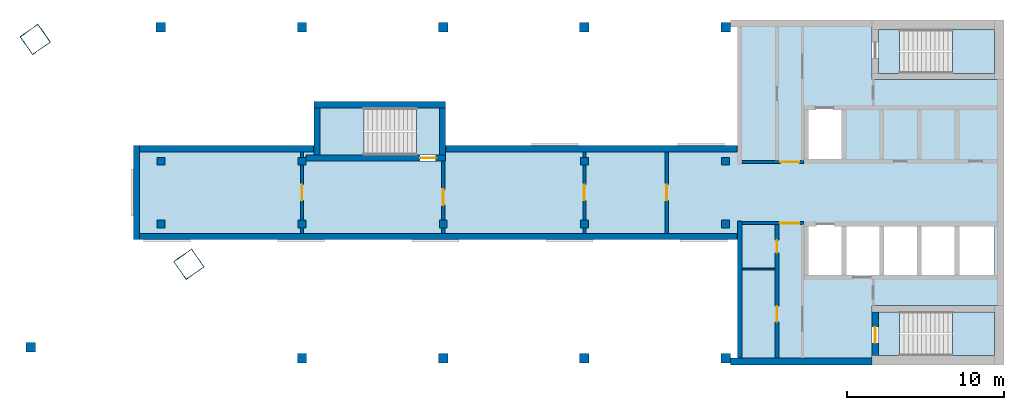
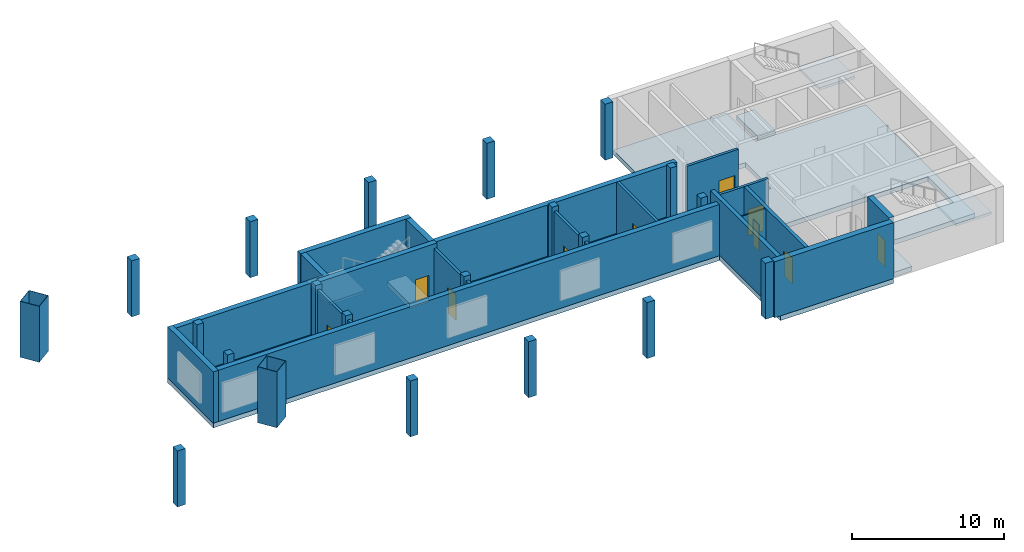
# One storey, part 1 of 4: 21 columns, 19 walls, 10 doors, 7 slabs, 10 openings, 3 elements without a shape of their own.
"""IFC4 building model written with IfcOpenShell, lengths in metres."""

from ifc_helpers import new_model, si_unit, direction, frame, frame_2d, origin, origin_2d, place, context, subcontext, project, spatial, polyline, rectangle, hollow_rectangle, outline, extrude, material, layer, layer_set, material_profile, profile_set, type_object, element, fill, aggregate, save


model = new_model("IFC4")

# Units and contexts
model_context = context("Model", 3, precision=1e-05, world=origin(), true_north=direction((0.0, 1.0)))
body_context = subcontext(model_context, "Body", "Model", "MODEL_VIEW")
ifc_project = project(units=[si_unit("LENGTHUNIT", "METRE"), si_unit("AREAUNIT", "SQUARE_METRE"), si_unit("VOLUMEUNIT", "CUBIC_METRE"), si_unit("PLANEANGLEUNIT", "RADIAN"), si_unit("MASSUNIT", "GRAM", prefix="KILO")], contexts=[model_context])

# Site, building, storey
site_placement = place(None, origin())
site = spatial("IfcSite", under=ifc_project, at=site_placement, CompositionType="ELEMENT")
building_placement = place(site_placement, origin())
building = spatial("IfcBuilding", under=site, at=building_placement, Name="Skarvind Civic Tower", CompositionType="ELEMENT")
storey_placement = place(building_placement, frame((0.0, 0.0, 282.0)))
storey = spatial("IfcBuildingStorey", under=building, at=storey_placement, Name="L67", CompositionType="ELEMENT", Elevation=282.0)

# Columns
ifc_material_1 = material(Name="Concrete C60", Category="concrete")
ifc_material_profile_1 = material_profile(ifc_material_1, rectangle(XDim=0.5, YDim=0.5, at=origin_2d()), Name="RC-500x500")
ifc_profile_set_1 = profile_set([ifc_material_profile_1], Name="Concrete C60")
column_type_1 = type_object("IfcColumnType", Name="Column RC-500x500 C60", PredefinedType="COLUMN", material=ifc_profile_set_1)
for number, where, z_axis, x_axis, name in (
    (1, (54.25, 130.0, 0.0), (0.0, 0.0, 1.0), (1.0, 0.0, 0.0), "Column wing 1 north inner 02 L67"),
    (2, (63.25, 130.0, 0.0), (0.0, 0.0, 1.0), (1.0, 0.0, 0.0), "Column wing 1 north inner 03 L67"),
    (3, (81.25, 130.0, 0.0), (0.0, 0.0, 1.0), (1.0, 0.0, 0.0), "Column wing 1 north inner 05 L67"),
    (4, (90.25, 130.0, 0.0), (0.0, 0.0, 1.0), (1.0, 0.0, 0.0), "Column wing 1 north inner 06 L67"),
    (5, (54.25, 126.0, 0.0), (0.0, 0.0, 1.0), (1.0, 0.0, 0.0), "Column wing 1 south inner 02 L67"),
    (6, (63.25, 126.0, 0.0), (0.0, 0.0, 1.0), (1.0, 0.0, 0.0), "Column wing 1 south inner 03 L67"),
    (7, (72.25, 126.0, 0.0), (0.0, 0.0, 1.0), (1.0, 0.0, 0.0), "Column wing 1 south inner 04 L67"),
    (8, (81.25, 126.0, 0.0), (0.0, 0.0, 1.0), (1.0, 0.0, 0.0), "Column wing 1 south inner 05 L67"),
    (9, (90.25, 126.0, 0.0), (0.0, 0.0, 1.0), (1.0, 0.0, 0.0), "Column wing 1 south inner 06 L67"),
):
    element("IfcColumn", number, at=place(storey_placement, frame(where, z_axis=z_axis, x_axis=x_axis)), inside=storey, type_object=column_type_1, Name=name, PredefinedType="COLUMN", context=body_context, shape_type="SweptSolid", body=[
        extrude(rectangle(XDim=0.5, YDim=0.5, at=origin_2d()), origin(), (0.0, 0.0, 1.0), 4.5),
    ])
ifc_material_profile_2 = material_profile(ifc_material_1, rectangle(XDim=0.60009765625, YDim=0.60009765625, at=origin_2d()), Name="RC-600x600")
ifc_profile_set_2 = profile_set([ifc_material_profile_2], Name="Concrete C60")
column_type_2 = type_object("IfcColumnType", Name="Column RC-600x600 C60", PredefinedType="COLUMN", material=ifc_profile_set_2)
for number, where, z_axis, x_axis, name in (
    (10, (54.25, 138.550048828125, 0.0), (0.0, 0.0, 1.0), (1.0, 0.0, 0.0), "Column wing 1 north perimeter 02 L67"),
    (11, (63.25, 138.550048828125, 0.0), (0.0, 0.0, 1.0), (1.0, 0.0, 0.0), "Column wing 1 north perimeter 03 L67"),
    (12, (72.25, 138.550048828125, 0.0), (0.0, 0.0, 1.0), (1.0, 0.0, 0.0), "Column wing 1 north perimeter 04 L67"),
    (13, (81.25, 138.550048828125, 0.0), (0.0, 0.0, 1.0), (1.0, 0.0, 0.0), "Column wing 1 north perimeter 05 L67"),
    (14, (90.25, 138.550048828125, 0.0), (0.0, 0.0, 1.0), (1.0, 0.0, 0.0), "Column wing 1 north perimeter 06 L67"),
    (15, (45.95166015625, 118.151611328125, 0.0), (0.0, 0.0, 1.0), (1.0, 0.0, 0.0), "Column wing 1 south perimeter 01 L67"),
    (16, (63.25, 117.449951171875, 0.0), (0.0, 0.0, 1.0), (1.0, 0.0, 0.0), "Column wing 1 south perimeter 03 L67"),
    (17, (72.25, 117.449951171875, 0.0), (0.0, 0.0, 1.0), (1.0, 0.0, 0.0), "Column wing 1 south perimeter 04 L67"),
    (18, (81.25, 117.449951171875, 0.0), (0.0, 0.0, 1.0), (1.0, 0.0, 0.0), "Column wing 1 south perimeter 05 L67"),
    (19, (90.25, 117.449951171875, 0.0), (0.0, 0.0, 1.0), (1.0, 0.0, 0.0), "Column wing 1 south perimeter 06 L67"),
):
    element("IfcColumn", number, at=place(storey_placement, frame(where, z_axis=z_axis, x_axis=x_axis)), inside=storey, type_object=column_type_2, Name=name, PredefinedType="COLUMN", context=body_context, shape_type="SweptSolid", body=[
        extrude(rectangle(XDim=0.60009765625, YDim=0.60009765625, at=origin_2d()), origin(), (0.0, 0.0, 1.0), 4.5),
    ])
ifc_material_2 = material(Name="Composite concrete-filled steel tube, Steel SM355 with Concrete C60", Category="concrete")
ifc_material_profile_3 = material_profile(ifc_material_2, hollow_rectangle(XDim=1.39990234375, YDim=1.39990234375, WallThickness=0.02490234375, at=origin_2d()), Name="BOX-1400x1400x25")
ifc_profile_set_3 = profile_set([ifc_material_profile_3], Name="Composite concrete-filled steel tube, Steel SM355 with Concrete C60")
column_type_3 = type_object("IfcColumnType", Name="Mega column BOX-1400x1400x25 filled C60", PredefinedType="COLUMN", material=ifc_profile_set_3)
for number, where, z_axis, x_axis, name in (
    (20, (46.2470703125, 137.762451171875, 0.0), (0.0, 0.0, 1.0), (0.573576436351, -0.819152044289, 0.0), "Mega column 2 L67"),
    (21, (56.0361328125, 123.43017578125, 0.0), (0.0, 0.0, 1.0), (0.573576436351, -0.819152044289, 0.0), "Mega column 4 L67"),
):
    element("IfcColumn", number, at=place(storey_placement, frame(where, z_axis=z_axis, x_axis=x_axis)), inside=storey, type_object=column_type_3, Name=name, PredefinedType="COLUMN", context=body_context, shape_type="SweptSolid", body=[
        extrude(hollow_rectangle(XDim=1.39990234375, YDim=1.39990234375, WallThickness=0.02490234375, at=origin_2d()), origin(), (0.0, 0.0, 1.0), 4.5),
    ])

# Slabs
ifc_material_3 = material(Name="Concrete C50", Category="concrete")
ifc_layer_1 = layer(ifc_material_3, 0.375)
ifc_layer_set_1 = layer_set([ifc_layer_1], Name="Floor slab 375 C50")
slab_type_1 = type_object("IfcSlabType", Name="Floor slab 375 C50", PredefinedType="FLOOR", material=ifc_layer_set_1)
slab_1_placement = place(storey_placement, frame((0.0, 0.0, -0.375)))
element("IfcSlab", 22, at=slab_1_placement, inside=storey, type_object=slab_type_1, Name="Floor slab L67 1", PredefinedType="FLOOR", context=body_context, shape_type="SweptSolid", body=[
    extrude(outline(polyline([(99.60009765625, 117.0), (99.60009765625, 120.800048828125), (108.0, 120.800048828125), (108.0, 135.199951171875), (99.60009765625, 135.199951171875), (99.60009765625, 139.0), (91.0, 139.0), (91.0, 131.0), (72.39990234375, 131.0), (72.39990234375, 130.0), (64.0, 130.0), (64.0, 131.0), (52.5, 131.0), (52.5, 125.0), (91.0, 125.0), (91.0, 117.0), (99.60009765625, 117.0)]), holes=[polyline([(95.39990234375, 126.0), (97.800048828125, 126.0), (100.199951171875, 126.0), (102.60009765625, 126.0), (105.0, 126.0), (107.39990234375, 126.0), (107.39990234375, 122.60009765625), (105.0, 122.60009765625), (102.60009765625, 122.60009765625), (100.199951171875, 122.60009765625), (97.800048828125, 122.60009765625), (95.39990234375, 122.60009765625), (95.39990234375, 126.0)]), polyline([(95.39990234375, 133.39990234375), (97.800048828125, 133.39990234375), (97.800048828125, 130.0), (95.39990234375, 130.0), (95.39990234375, 133.39990234375)])]), origin(), (0.0, 0.0, 1.0), 0.375),
])
ifc_material_4 = material(Name="Concrete C40/50", Category="concrete")
ifc_layer_2 = layer(ifc_material_4, 0.375)
ifc_layer_set_2 = layer_set([ifc_layer_2], Name="Stair floor landing slab 375")
slab_type_2 = type_object("IfcSlabType", Name="Stair floor landing slab 375", PredefinedType="LANDING", material=ifc_layer_set_2)
slab_2_placement = place(storey_placement, frame((0.0, 0.0, -0.375)))
element("IfcSlab", 23, at=slab_2_placement, inside=storey, type_object=slab_type_2, Name="Stair floor landing", PredefinedType="LANDING", context=body_context, shape_type="SweptSolid", body=[
    extrude(outline(polyline([(101.3505859375, 138.400634765625), (101.3505859375, 135.599365234375), (99.99951171875, 135.599365234375), (99.99951171875, 138.400634765625), (101.3505859375, 138.400634765625)])), origin(), (0.0, 0.0, 1.0), 0.375),
])
slab_3_placement = place(storey_placement, frame((0.0, 0.0, -0.375)))
element("IfcSlab", 24, at=slab_3_placement, inside=storey, type_object=slab_type_2, Name="Stair floor landing", PredefinedType="LANDING", context=body_context, shape_type="SweptSolid", body=[
    extrude(outline(polyline([(101.3505859375, 120.400634765625), (101.3505859375, 117.599365234375), (99.99951171875, 117.599365234375), (99.99951171875, 120.400634765625), (101.3505859375, 120.400634765625)])), origin(), (0.0, 0.0, 1.0), 0.375),
])
slab_4_placement = place(storey_placement, frame((0.0, 0.0, -0.375)))
element("IfcSlab", 25, at=slab_4_placement, inside=storey, type_object=slab_type_2, Name="Stair floor landing", PredefinedType="LANDING", context=body_context, shape_type="SweptSolid", body=[
    extrude(outline(polyline([(70.54931640625, 130.3994140625), (70.54931640625, 133.400634765625), (72.00048828125, 133.400634765625), (72.00048828125, 130.3994140625), (70.54931640625, 130.3994140625)])), origin(), (0.0, 0.0, 1.0), 0.375),
])

# Stair, slab
stair_type_1 = type_object("IfcStairType", Name="Exit stair, half-turn, concrete", PredefinedType="HALF_TURN_STAIR", material=ifc_material_4)
stair_1_placement = place(storey_placement, origin())
stair_1 = element("IfcStair", 26, at=stair_1_placement, inside=storey, type_object=stair_type_1, Name="Exit stair C1S", PredefinedType="HALF_TURN_STAIR")
ifc_layer_3 = layer(ifc_material_4, 0.199951171875)
ifc_layer_set_3 = layer_set([ifc_layer_3], Name="Stair half landing slab")
slab_type_3 = type_object("IfcSlabType", Name="Stair half landing slab", PredefinedType="LANDING", material=ifc_layer_set_3)
slab_5_placement = place(storey_placement, frame((0.0, 0.0, 2.050048828125)))
slab_5 = element("IfcSlab", 27, at=slab_5_placement, type_object=slab_type_3, Name="ST-C1S landing 1", PredefinedType="LANDING", context=body_context, shape_type="SweptSolid", body=[
    extrude(outline(polyline([(104.70947265625, 135.599365234375), (104.70947265625, 138.400634765625), (107.400634765625, 138.400634765625), (107.400634765625, 135.599365234375), (104.70947265625, 135.599365234375)])), origin(), (0.0, 0.0, 1.0), 0.199951171875),
])
aggregate(stair_1, [slab_5])

stair_2_placement = place(storey_placement, origin())
stair_2 = element("IfcStair", 28, at=stair_2_placement, inside=storey, type_object=stair_type_1, Name="Exit stair C1N", PredefinedType="HALF_TURN_STAIR")
slab_6_placement = place(storey_placement, frame((0.0, 0.0, 2.050048828125)))
slab_6 = element("IfcSlab", 29, at=slab_6_placement, type_object=slab_type_3, Name="ST-C1N landing 1", PredefinedType="LANDING", context=body_context, shape_type="SweptSolid", body=[
    extrude(outline(polyline([(104.70947265625, 117.599365234375), (104.70947265625, 120.400634765625), (107.400634765625, 120.400634765625), (107.400634765625, 117.599365234375), (104.70947265625, 117.599365234375)])), origin(), (0.0, 0.0, 1.0), 0.199951171875),
])
aggregate(stair_2, [slab_6])

stair_type_2 = type_object("IfcStairType", Name="Exit stair 1450, half-turn, concrete", PredefinedType="HALF_TURN_STAIR", material=ifc_material_4)
stair_3_placement = place(storey_placement, origin())
stair_3 = element("IfcStair", 30, at=stair_3_placement, inside=storey, type_object=stair_type_2, Name="Exit stair CM", PredefinedType="HALF_TURN_STAIR")
slab_7_placement = place(storey_placement, frame((0.0, 0.0, 2.050048828125)))
slab_7 = element("IfcSlab", 31, at=slab_7_placement, type_object=slab_type_3, Name="ST-CM landing 1", PredefinedType="LANDING", context=body_context, shape_type="SweptSolid", body=[
    extrude(outline(polyline([(67.190673828125, 133.400634765625), (67.190673828125, 130.3994140625), (64.3994140625, 130.3994140625), (64.3994140625, 133.400634765625), (67.190673828125, 133.400634765625)])), origin(), (0.0, 0.0, 1.0), 0.199951171875),
])
aggregate(stair_3, [slab_7])

# Wall, opening, door
ifc_material_5 = material(Name="Fire-rated masonry partition", Category="masonry")
ifc_layer_4 = layer(ifc_material_5, 0.199951171875)
ifc_layer_set_4 = layer_set([ifc_layer_4], Name="Core enclosure wall 200")
wall_type_1 = type_object("IfcWallType", Name="Core enclosure wall 200", PredefinedType="PARTITIONING", material=ifc_layer_set_4)
wall_1_placement = place(storey_placement, frame((95.25, 126.050048828125, 0.0), z_axis=(0.0, 0.0, 1.0), x_axis=(-1.0, 0.0, 0.0)))
wall_1 = element("IfcWall", 32, at=wall_1_placement, inside=storey, type_object=wall_type_1, Name="Core wall C1", PredefinedType="PARTITIONING", context=body_context, shape_type="SweptSolid", body=[
    extrude(rectangle(XDim=3.949951171875, YDim=0.199951171875, at=frame_2d((1.97509765625, 0.0))), origin(), (0.0, 0.0, 1.0), 4.125),
])
opening_1_placement = place(wall_1_placement, frame((0.300048828125, 0.0, 0.0)))
opening_1 = element("IfcOpeningElement", 33, at=opening_1_placement, cuts=wall_1, Name="Opening D-L67-C1-04", PredefinedType="OPENING", context=body_context, shape_type="SweptSolid", body=[
    extrude(rectangle(XDim=1.199951171875, YDim=2.10009765625, at=frame_2d((0.60009765625, 1.050048828125))), frame((0.0, 0.10986328125, 0.0), z_axis=(0.0, -1.0, 0.0), x_axis=(1.0, 0.0, 0.0)), (0.0, 0.0, 1.0), 0.219970703125),
])
ifc_material_6 = material(Name="Fire-rated steel door", Category="steel")
door_type_1 = type_object("IfcDoorType", Name="Core lobby door 1200", OperationType="NOTDEFINED", PredefinedType="DOOR", material=ifc_material_6)
door_1_placement = place(opening_1_placement, origin())
door_1 = element("IfcDoor", 34, at=door_1_placement, inside=storey, type_object=door_type_1, Name="Fire door", OperationType="DOUBLE_DOOR_SINGLE_SWING", OverallHeight=2.10009765625, OverallWidth=1.199951171875, PredefinedType="DOOR", context=body_context, shape_type="SweptSolid", body=[
    extrude(rectangle(XDim=1.199951171875, YDim=2.10009765625, at=frame_2d((0.60009765625, 1.050048828125))), frame((0.0, 0.02490234375, 0.0), z_axis=(0.0, -1.0, 0.0), x_axis=(1.0, 0.0, 0.0)), (0.0, 0.0, 1.0), 0.050048828125),
])
fill(opening_1, door_1)

wall_2_placement = place(storey_placement, frame((91.300048828125, 129.949951171875, 0.0), z_axis=(0.0, 0.0, 1.0), x_axis=(1.0, 0.0, 0.0)))
wall_2 = element("IfcWall", 35, at=wall_2_placement, inside=storey, type_object=wall_type_1, Name="Core wall C1", PredefinedType="PARTITIONING", context=body_context, shape_type="SweptSolid", body=[
    extrude(rectangle(XDim=3.949951171875, YDim=0.199951171875, at=frame_2d((1.97509765625, 0.0))), origin(), (0.0, 0.0, 1.0), 4.125),
])
opening_2_placement = place(wall_2_placement, frame((2.449951171875, 0.0, 0.0)))
opening_2 = element("IfcOpeningElement", 36, at=opening_2_placement, cuts=wall_2, Name="Opening D-L67-C1-10", PredefinedType="OPENING", context=body_context, shape_type="SweptSolid", body=[
    extrude(rectangle(XDim=1.199951171875, YDim=2.10009765625, at=frame_2d((0.60009765625, 1.050048828125))), frame((0.0, 0.10986328125, 0.0), z_axis=(0.0, -1.0, 0.0), x_axis=(1.0, 0.0, 0.0)), (0.0, 0.0, 1.0), 0.219970703125),
])
door_2_placement = place(opening_2_placement, origin())
door_2 = element("IfcDoor", 37, at=door_2_placement, inside=storey, type_object=door_type_1, Name="Fire door", OperationType="DOUBLE_DOOR_SINGLE_SWING", OverallHeight=2.10009765625, OverallWidth=1.199951171875, PredefinedType="DOOR", context=body_context, shape_type="SweptSolid", body=[
    extrude(rectangle(XDim=1.199951171875, YDim=2.10009765625, at=frame_2d((0.60009765625, 1.050048828125))), frame((0.0, 0.02490234375, 0.0), z_axis=(0.0, -1.0, 0.0), x_axis=(1.0, 0.0, 0.0)), (0.0, 0.0, 1.0), 0.050048828125),
])
fill(opening_2, door_2)

# Walls
ifc_material_7 = material(Name="Fire-rated plasterboard partition")
ifc_layer_5 = layer(ifc_material_7, 0.10009765625)
ifc_layer_set_5 = layer_set([ifc_layer_5], Name="Core partition wall 100")
wall_type_2 = type_object("IfcWallType", Name="Core partition wall 100", PredefinedType="PARTITIONING", material=ifc_layer_set_5)
wall_3_placement = place(storey_placement, frame((93.39990234375, 123.1201171875, 0.0), z_axis=(0.0, 0.0, 1.0), x_axis=(-1.0, 0.0, 0.0)))
element("IfcWall", 38, at=wall_3_placement, inside=storey, type_object=wall_type_2, Name="Core wall C1", PredefinedType="PARTITIONING", context=body_context, shape_type="SweptSolid", body=[
    extrude(rectangle(XDim=2.099853515625, YDim=0.10009765625, at=frame_2d((1.0498046875, 0.0))), origin(), (0.0, 0.0, 1.0), 4.125),
])
ifc_layer_6 = layer(ifc_material_1, 0.300048828125)
ifc_layer_set_6 = layer_set([ifc_layer_6], Name="Core wall 300 C60")
wall_type_3 = type_object("IfcWallType", Name="Core wall 300 C60", PredefinedType="SHEAR", material=ifc_layer_set_6)
wall_4_placement = place(storey_placement, frame((91.14990234375, 126.199951171875, 0.0), z_axis=(0.0, 0.0, 1.0), x_axis=(0.0, -1.0, 0.0)))
element("IfcWall", 39, at=wall_4_placement, inside=storey, type_object=wall_type_3, Name="Core wall C1 north inner face L67", PredefinedType="SHEAR", context=body_context, shape_type="SweptSolid", body=[
    extrude(rectangle(XDim=8.75, YDim=0.300048828125, at=frame_2d((4.375, 0.0))), origin(), (0.0, 0.0, 1.0), 4.5),
])

# Wall, opening, door
ifc_layer_7 = layer(ifc_material_1, 0.39990234375)
ifc_layer_set_7 = layer_set([ifc_layer_7], Name="Core wall 400 C60")
wall_type_4 = type_object("IfcWallType", Name="Core wall 400 C60", PredefinedType="SHEAR", material=ifc_layer_set_7)
wall_5_placement = place(storey_placement, frame((99.800048828125, 120.39990234375, 0.0), z_axis=(0.0, 0.0, 1.0), x_axis=(0.0, -1.0, 0.0)))
wall_5 = element("IfcWall", 40, at=wall_5_placement, inside=storey, type_object=wall_type_4, Name="Core wall C1 north stair end L67", PredefinedType="SHEAR", context=body_context, shape_type="SweptSolid", body=[
    extrude(rectangle(XDim=2.7998046875, YDim=0.39990234375, at=frame_2d((1.39990234375, 0.0))), origin(), (0.0, 0.0, 1.0), 4.5),
])
opening_3_placement = place(wall_5_placement, frame((0.97509765625, 0.0, 0.0)))
opening_3 = element("IfcOpeningElement", 41, at=opening_3_placement, cuts=wall_5, Name="Opening D-L67-C1-06", PredefinedType="OPENING", context=body_context, shape_type="SweptSolid", body=[
    extrude(rectangle(XDim=1.0, YDim=2.10009765625, at=frame_2d((0.5, 1.050048828125))), frame((0.0, 0.2099609375, 0.0), z_axis=(0.0, -1.0, 0.0), x_axis=(1.0, 0.0, 0.0)), (0.0, 0.0, 1.0), 0.419921875),
])
door_type_2 = type_object("IfcDoorType", Name="Fire door 1000", OperationType="NOTDEFINED", PredefinedType="DOOR", material=ifc_material_6)
door_3_placement = place(opening_3_placement, origin())
door_3 = element("IfcDoor", 42, at=door_3_placement, inside=storey, type_object=door_type_2, Name="Fire door", OperationType="SINGLE_SWING_LEFT", OverallHeight=2.10009765625, OverallWidth=1.0, PredefinedType="DOOR", context=body_context, shape_type="SweptSolid", body=[
    extrude(rectangle(XDim=1.0, YDim=2.10009765625, at=frame_2d((0.5, 1.050048828125))), frame((0.0, 0.02490234375, 0.0), z_axis=(0.0, -1.0, 0.0), x_axis=(1.0, 0.0, 0.0)), (0.0, 0.0, 1.0), 0.050048828125),
])
fill(opening_3, door_3)

wall_6_placement = place(storey_placement, frame((63.5, 130.199951171875, 0.0), z_axis=(0.0, 0.0, 1.0), x_axis=(1.0, 0.0, 0.0)))
wall_6 = element("IfcWall", 43, at=wall_6_placement, inside=storey, type_object=wall_type_4, Name="Core wall CM inner L67", PredefinedType="SHEAR", context=body_context, shape_type="SweptSolid", body=[
    extrude(rectangle(XDim=8.89990234375, YDim=0.39990234375, at=frame_2d((4.449951171875, 0.0))), origin(), (0.0, 0.0, 1.0), 4.5),
])
opening_4_placement = place(wall_6_placement, frame((7.27490234375, 0.0, 0.0)))
opening_4 = element("IfcOpeningElement", 44, at=opening_4_placement, cuts=wall_6, Name="Opening D-L67-CM-01", PredefinedType="OPENING", context=body_context, shape_type="SweptSolid", body=[
    extrude(rectangle(XDim=1.0, YDim=2.10009765625, at=frame_2d((0.5, 1.050048828125))), frame((0.0, 0.2099609375, 0.0), z_axis=(0.0, -1.0, 0.0), x_axis=(1.0, 0.0, 0.0)), (0.0, 0.0, 1.0), 0.419921875),
])
door_4_placement = place(opening_4_placement, origin())
door_4 = element("IfcDoor", 45, at=door_4_placement, inside=storey, type_object=door_type_2, Name="Fire door", OperationType="SINGLE_SWING_LEFT", OverallHeight=2.10009765625, OverallWidth=1.0, PredefinedType="DOOR", context=body_context, shape_type="SweptSolid", body=[
    extrude(rectangle(XDim=1.0, YDim=2.10009765625, at=frame_2d((0.5, 1.050048828125))), frame((0.0, 0.02490234375, 0.0), z_axis=(0.0, -1.0, 0.0), x_axis=(1.0, 0.0, 0.0)), (0.0, 0.0, 1.0), 0.050048828125),
])
fill(opening_4, door_4)

# Walls
wall_7_placement = place(storey_placement, frame((64.0, 133.60009765625, 0.0), z_axis=(0.0, 0.0, 1.0), x_axis=(1.0, 0.0, 0.0)))
element("IfcWall", 46, at=wall_7_placement, inside=storey, type_object=wall_type_4, Name="Core wall CM outer L67", PredefinedType="SHEAR", context=body_context, shape_type="SweptSolid", body=[
    extrude(rectangle(XDim=8.39990234375, YDim=0.39990234375, at=frame_2d((4.199951171875, 0.0))), origin(), (0.0, 0.0, 1.0), 4.5),
])
for number, where, z_axis, x_axis, name in (
    (47, (64.199951171875, 130.39990234375, 0.0), (0.0, 0.0, 1.0), (0.0, 1.0, 0.0), "Core wall CM west L67"),
    (48, (72.199951171875, 130.39990234375, 0.0), (0.0, 0.0, 1.0), (0.0, 1.0, 0.0), "Core wall CM end L67"),
):
    element("IfcWall", number, at=place(storey_placement, frame(where, z_axis=z_axis, x_axis=x_axis)), inside=storey, type_object=wall_type_4, Name=name, PredefinedType="SHEAR", context=body_context, shape_type="SweptSolid", body=[
        extrude(rectangle(XDim=3.0, YDim=0.39990234375, at=frame_2d((1.5, 0.0))), origin(), (0.0, 0.0, 1.0), 4.5),
    ])
ifc_layer_8 = layer(ifc_material_1, 0.449951171875)
ifc_layer_set_8 = layer_set([ifc_layer_8], Name="Core wall 450 C60")
wall_type_5 = type_object("IfcWallType", Name="Core wall 450 C60", PredefinedType="SHEAR", material=ifc_layer_set_8)
wall_8_placement = place(storey_placement, frame((99.60009765625, 117.22509765625, 0.0), z_axis=(0.0, 0.0, 1.0), x_axis=(-1.0, 0.0, 0.0)))
element("IfcWall", 49, at=wall_8_placement, inside=storey, type_object=wall_type_5, Name="Core wall C1 north side L67", PredefinedType="SHEAR", context=body_context, shape_type="SweptSolid", body=[
    extrude(rectangle(XDim=9.050048828125, YDim=0.449951171875, at=frame_2d((4.52490234375, 0.0))), origin(), (0.0, 0.0, 1.0), 4.5),
])

# Wall, opening, door
ifc_material_8 = material(Name="Fire-rated blockwork wall, plastered", Category="masonry")
ifc_layer_9 = layer(ifc_material_8, 0.199951171875)
ifc_layer_set_9 = layer_set([ifc_layer_9], Name="FIRE WALL 200 EI 120")
wall_type_6 = type_object("IfcWallType", Name="FIRE WALL 200 EI 120", PredefinedType="PARTITIONING", material=ifc_layer_set_9)
wall_9_placement = place(storey_placement, frame((63.25, 130.60009765625, 0.0), z_axis=(0.0, 0.0, 1.0), x_axis=(0.0, -1.0, 0.0)))
wall_9 = element("IfcWall", 50, at=wall_9_placement, inside=storey, type_object=wall_type_6, Name="Crown partition L67 001", PredefinedType="PARTITIONING", context=body_context, shape_type="SweptSolid", body=[
    extrude(rectangle(XDim=5.2001953125, YDim=0.199951171875, at=frame_2d((2.60009765625, 0.0))), origin(), (0.0, 0.0, 1.0), 4.125),
])
opening_5_placement = place(wall_9_placement, frame((2.10009765625, 0.0, 0.0)))
opening_5 = element("IfcOpeningElement", 51, at=opening_5_placement, cuts=wall_9, Name="Opening L67-D201", PredefinedType="OPENING", context=body_context, shape_type="SweptSolid", body=[
    extrude(rectangle(XDim=1.0, YDim=2.10009765625, at=frame_2d((0.5, 1.050048828125))), frame((0.0, 0.10986328125, 0.0), z_axis=(0.0, -1.0, 0.0), x_axis=(1.0, 0.0, 0.0)), (0.0, 0.0, 1.0), 0.219970703125),
])
ifc_material_9 = material(Name="Painted steel fire door leaf", Category="steel")
door_type_3 = type_object("IfcDoorType", Name="FIRE DOOR 1000X2100 STEEL", OperationType="NOTDEFINED", PredefinedType="DOOR", material=ifc_material_9)
door_5_placement = place(opening_5_placement, origin())
door_5 = element("IfcDoor", 52, at=door_5_placement, inside=storey, type_object=door_type_3, Name="FIRE DOOR", OperationType="SINGLE_SWING_RIGHT", OverallHeight=2.10009765625, OverallWidth=1.0, PredefinedType="DOOR", context=body_context, shape_type="SweptSolid", body=[
    extrude(rectangle(XDim=1.0, YDim=2.10009765625, at=frame_2d((0.5, 1.050048828125))), frame((0.0, 0.02490234375, 0.0), z_axis=(0.0, -1.0, 0.0), x_axis=(1.0, 0.0, 0.0)), (0.0, 0.0, 1.0), 0.050048828125),
])
fill(opening_5, door_5)

ifc_layer_10 = layer(ifc_material_8, 0.199951171875)
ifc_layer_set_10 = layer_set([ifc_layer_10], Name="FIRE WALL 200 EI 60")
wall_type_7 = type_object("IfcWallType", Name="FIRE WALL 200 EI 60", PredefinedType="PARTITIONING", material=ifc_layer_set_10)
wall_10_placement = place(storey_placement, frame((72.25, 130.0, 0.0), z_axis=(0.0, 0.0, 1.0), x_axis=(0.0, -1.0, 0.0)))
wall_10 = element("IfcWall", 53, at=wall_10_placement, inside=storey, type_object=wall_type_7, Name="Crown partition L67 002", PredefinedType="PARTITIONING", context=body_context, shape_type="SweptSolid", body=[
    extrude(rectangle(XDim=4.6201171875, YDim=0.199951171875, at=frame_2d((2.31005859375, 0.0))), origin(), (0.0, 0.0, 1.0), 4.125),
])
opening_6_placement = place(wall_10_placement, frame((1.800048828125, 0.0, 0.0)))
opening_6 = element("IfcOpeningElement", 54, at=opening_6_placement, cuts=wall_10, Name="Opening L67-D202", PredefinedType="OPENING", context=body_context, shape_type="SweptSolid", body=[
    extrude(rectangle(XDim=1.0, YDim=2.10009765625, at=frame_2d((0.5, 1.050048828125))), frame((0.0, 0.10986328125, 0.0), z_axis=(0.0, -1.0, 0.0), x_axis=(1.0, 0.0, 0.0)), (0.0, 0.0, 1.0), 0.219970703125),
])
door_6_placement = place(opening_6_placement, origin())
door_6 = element("IfcDoor", 55, at=door_6_placement, inside=storey, type_object=door_type_3, Name="FIRE DOOR", OperationType="SINGLE_SWING_LEFT", OverallHeight=2.10009765625, OverallWidth=1.0, PredefinedType="DOOR", context=body_context, shape_type="SweptSolid", body=[
    extrude(rectangle(XDim=1.0, YDim=2.10009765625, at=frame_2d((0.5, 1.050048828125))), frame((0.0, 0.02490234375, 0.0), z_axis=(0.0, -1.0, 0.0), x_axis=(1.0, 0.0, 0.0)), (0.0, 0.0, 1.0), 0.050048828125),
])
fill(opening_6, door_6)

wall_11_placement = place(storey_placement, frame((81.25, 130.60009765625, 0.0), z_axis=(0.0, 0.0, 1.0), x_axis=(0.0, -1.0, 0.0)))
wall_11 = element("IfcWall", 56, at=wall_11_placement, inside=storey, type_object=wall_type_7, Name="Crown partition L67 003", PredefinedType="PARTITIONING", context=body_context, shape_type="SweptSolid", body=[
    extrude(rectangle(XDim=5.2001953125, YDim=0.199951171875, at=frame_2d((2.60009765625, 0.0))), origin(), (0.0, 0.0, 1.0), 4.125),
])
opening_7_placement = place(wall_11_placement, frame((2.10009765625, 0.0, 0.0)))
opening_7 = element("IfcOpeningElement", 57, at=opening_7_placement, cuts=wall_11, Name="Opening L67-D203", PredefinedType="OPENING", context=body_context, shape_type="SweptSolid", body=[
    extrude(rectangle(XDim=1.0, YDim=2.10009765625, at=frame_2d((0.5, 1.050048828125))), frame((0.0, 0.10986328125, 0.0), z_axis=(0.0, -1.0, 0.0), x_axis=(1.0, 0.0, 0.0)), (0.0, 0.0, 1.0), 0.219970703125),
])
door_7_placement = place(opening_7_placement, origin())
door_7 = element("IfcDoor", 58, at=door_7_placement, inside=storey, type_object=door_type_3, Name="FIRE DOOR", OperationType="SINGLE_SWING_RIGHT", OverallHeight=2.10009765625, OverallWidth=1.0, PredefinedType="DOOR", context=body_context, shape_type="SweptSolid", body=[
    extrude(rectangle(XDim=1.0, YDim=2.10009765625, at=frame_2d((0.5, 1.050048828125))), frame((0.0, 0.02490234375, 0.0), z_axis=(0.0, -1.0, 0.0), x_axis=(1.0, 0.0, 0.0)), (0.0, 0.0, 1.0), 0.050048828125),
])
fill(opening_7, door_7)

wall_12_placement = place(storey_placement, frame((86.5, 125.39990234375, 0.0), z_axis=(0.0, 0.0, 1.0), x_axis=(0.0, 1.0, 0.0)))
wall_12 = element("IfcWall", 59, at=wall_12_placement, inside=storey, type_object=wall_type_7, Name="Crown partition L67 004", PredefinedType="PARTITIONING", context=body_context, shape_type="SweptSolid", body=[
    extrude(rectangle(XDim=5.2001953125, YDim=0.199951171875, at=frame_2d((2.60009765625, 0.0))), origin(), (0.0, 0.0, 1.0), 4.125),
])
opening_8_placement = place(wall_12_placement, frame((2.10009765625, 0.0, 0.0)))
opening_8 = element("IfcOpeningElement", 60, at=opening_8_placement, cuts=wall_12, Name="Opening L67-D204", PredefinedType="OPENING", context=body_context, shape_type="SweptSolid", body=[
    extrude(rectangle(XDim=1.0, YDim=2.10009765625, at=frame_2d((0.5, 1.050048828125))), frame((0.0, 0.10986328125, 0.0), z_axis=(0.0, -1.0, 0.0), x_axis=(1.0, 0.0, 0.0)), (0.0, 0.0, 1.0), 0.219970703125),
])
door_8_placement = place(opening_8_placement, origin())
door_8 = element("IfcDoor", 61, at=door_8_placement, inside=storey, type_object=door_type_3, Name="FIRE DOOR", OperationType="SINGLE_SWING_LEFT", OverallHeight=2.10009765625, OverallWidth=1.0, PredefinedType="DOOR", context=body_context, shape_type="SweptSolid", body=[
    extrude(rectangle(XDim=1.0, YDim=2.10009765625, at=frame_2d((0.5, 1.050048828125))), frame((0.0, 0.02490234375, 0.0), z_axis=(0.0, -1.0, 0.0), x_axis=(1.0, 0.0, 0.0)), (0.0, 0.0, 1.0), 0.050048828125),
])
fill(opening_8, door_8)

# Wall, openings, doors
ifc_layer_11 = layer(ifc_material_5, 0.25)
ifc_layer_set_11 = layer_set([ifc_layer_11], Name="Service block wall 250")
wall_type_8 = type_object("IfcWallType", Name="Service block wall 250", PredefinedType="PARTITIONING", material=ifc_layer_set_11)
wall_13_placement = place(storey_placement, frame((93.52490234375, 117.449951171875, 0.0), z_axis=(0.0, 0.0, 1.0), x_axis=(0.0, 1.0, 0.0)))
wall_13 = element("IfcWall", 62, at=wall_13_placement, inside=storey, type_object=wall_type_8, Name="Core wall C1", PredefinedType="PARTITIONING", context=body_context, shape_type="SweptSolid", body=[
    extrude(rectangle(XDim=8.5, YDim=0.25, at=frame_2d((4.25, 0.0))), origin(), (0.0, 0.0, 1.0), 4.125),
])
opening_9_placement = place(wall_13_placement, frame((6.7099609375, 0.0, 0.0)))
opening_9 = element("IfcOpeningElement", 63, at=opening_9_placement, cuts=wall_13, Name="Opening D-L67-C1-08", PredefinedType="OPENING", context=body_context, shape_type="SweptSolid", body=[
    extrude(rectangle(XDim=0.800048828125, YDim=2.10009765625, at=frame_2d((0.39990234375, 1.050048828125))), frame((0.0, 0.135009765625, 0.0), z_axis=(0.0, -1.0, 0.0), x_axis=(1.0, 0.0, 0.0)), (0.0, 0.0, 1.0), 0.27001953125),
])
opening_10_placement = place(wall_13_placement, frame((2.31005859375, 0.0, 0.0)))
opening_10 = element("IfcOpeningElement", 64, at=opening_10_placement, cuts=wall_13, Name="Opening D-L67-C1-09", PredefinedType="OPENING", context=body_context, shape_type="SweptSolid", body=[
    extrude(rectangle(XDim=1.0, YDim=2.10009765625, at=frame_2d((0.5, 1.050048828125))), frame((0.0, 0.135009765625, 0.0), z_axis=(0.0, -1.0, 0.0), x_axis=(1.0, 0.0, 0.0)), (0.0, 0.0, 1.0), 0.27001953125),
])
door_type_4 = type_object("IfcDoorType", Name="Core riser door 800", OperationType="NOTDEFINED", PredefinedType="DOOR", material=ifc_material_6)
door_9_placement = place(opening_9_placement, origin())
door_9 = element("IfcDoor", 65, at=door_9_placement, inside=storey, type_object=door_type_4, Name="Riser door", OperationType="SINGLE_SWING_LEFT", OverallHeight=2.10009765625, OverallWidth=0.800048828125, PredefinedType="DOOR", context=body_context, shape_type="SweptSolid", body=[
    extrude(rectangle(XDim=0.800048828125, YDim=2.10009765625, at=frame_2d((0.39990234375, 1.050048828125))), frame((0.0, 0.02490234375, 0.0), z_axis=(0.0, -1.0, 0.0), x_axis=(1.0, 0.0, 0.0)), (0.0, 0.0, 1.0), 0.050048828125),
])
fill(opening_9, door_9)
door_10_placement = place(opening_10_placement, origin())
door_10 = element("IfcDoor", 66, at=door_10_placement, inside=storey, type_object=door_type_2, Name="Fire door", OperationType="SINGLE_SWING_RIGHT", OverallHeight=2.10009765625, OverallWidth=1.0, PredefinedType="DOOR", context=body_context, shape_type="SweptSolid", body=[
    extrude(rectangle(XDim=1.0, YDim=2.10009765625, at=frame_2d((0.5, 1.050048828125))), frame((0.0, 0.02490234375, 0.0), z_axis=(0.0, -1.0, 0.0), x_axis=(1.0, 0.0, 0.0)), (0.0, 0.0, 1.0), 0.050048828125),
])
fill(opening_10, door_10)

# Walls
ifc_material_10 = material(Name="Copper cladding on insulated backing")
ifc_layer_12 = layer(ifc_material_10, 0.39990234375)
ifc_layer_set_12 = layer_set([ifc_layer_12], Name="WX5 COPPER-CLAD PLANT WALL 400")
wall_type_9 = type_object("IfcWallType", Name="WX5 COPPER-CLAD PLANT WALL 400", PredefinedType="SOLIDWALL", material=ifc_layer_set_12)
wall_14_placement = place(storey_placement, frame((52.5, 130.800048828125, 0.0), z_axis=(0.0, 0.0, 1.0), x_axis=(1.0, 0.0, 0.0)))
element("IfcWall", 67, at=wall_14_placement, inside=storey, type_object=wall_type_9, Name="COPPER-CLAD PLANT WALL", PredefinedType="SOLIDWALL", context=body_context, shape_type="SweptSolid", body=[
    extrude(rectangle(XDim=11.47998046875, YDim=0.39990234375, at=frame_2d((5.739990234375, 0.0))), origin(), (0.0, 0.0, 1.0), 4.125),
])
wall_15_placement = place(storey_placement, frame((52.699951171875, 125.0, 0.0), z_axis=(0.0, 0.0, 1.0), x_axis=(0.0, 1.0, 0.0)))
element("IfcWall", 68, at=wall_15_placement, inside=storey, type_object=wall_type_9, Name="COPPER-CLAD PLANT WALL", PredefinedType="SOLIDWALL", context=body_context, shape_type="SweptSolid", body=[
    extrude(rectangle(XDim=6.0, YDim=0.39990234375, at=frame_2d((3.0, 0.0))), origin(), (0.0, 0.0, 1.0), 4.125),
])
wall_16_placement = place(storey_placement, frame((90.97998046875, 125.199951171875, 0.0), z_axis=(0.0, 0.0, 1.0), x_axis=(-1.0, 0.0, 0.0)))
element("IfcWall", 69, at=wall_16_placement, inside=storey, type_object=wall_type_9, Name="COPPER-CLAD PLANT WALL", PredefinedType="SOLIDWALL", context=body_context, shape_type="SweptSolid", body=[
    extrude(rectangle(XDim=38.47998046875, YDim=0.39990234375, at=frame_2d((19.239990234375, 0.0))), origin(), (0.0, 0.0, 1.0), 4.125),
])
wall_17_placement = place(storey_placement, frame((72.419921875, 130.800048828125, 0.0), z_axis=(0.0, 0.0, 1.0), x_axis=(1.0, 0.0, 0.0)))
element("IfcWall", 70, at=wall_17_placement, inside=storey, type_object=wall_type_9, Name="COPPER-CLAD PLANT WALL", PredefinedType="SOLIDWALL", context=body_context, shape_type="SweptSolid", body=[
    extrude(rectangle(XDim=18.56005859375, YDim=0.39990234375, at=frame_2d((9.280029296875, 0.0))), origin(), (0.0, 0.0, 1.0), 4.125),
])

save(model, "model.ifc")
